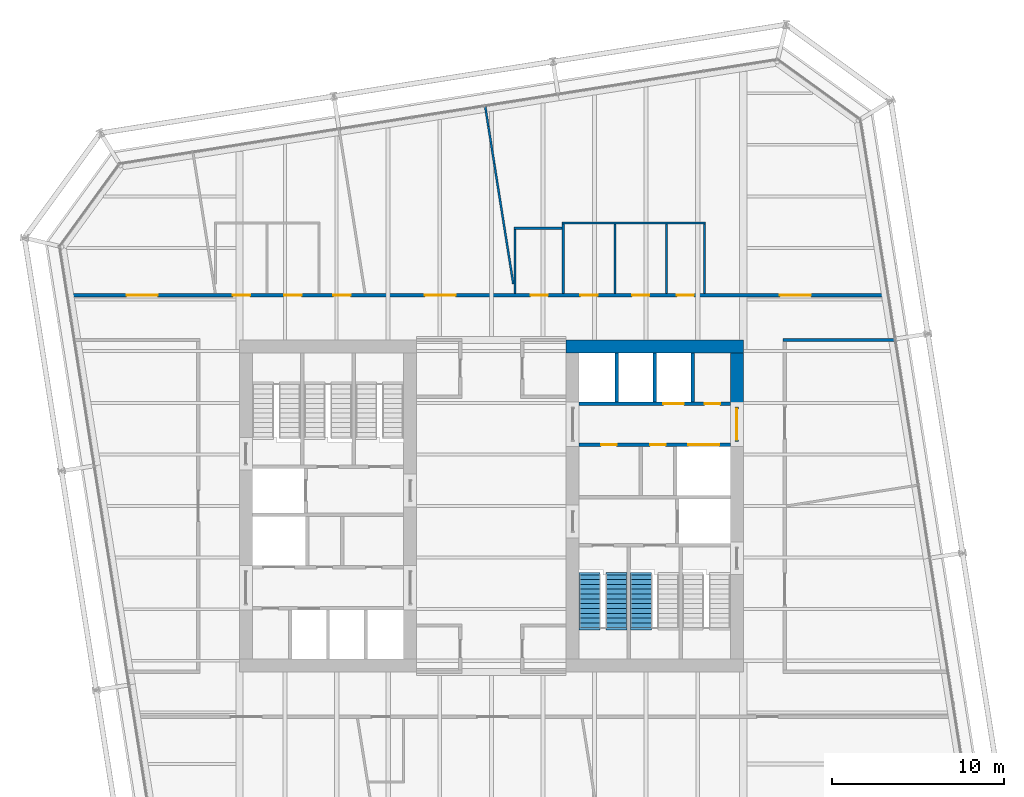
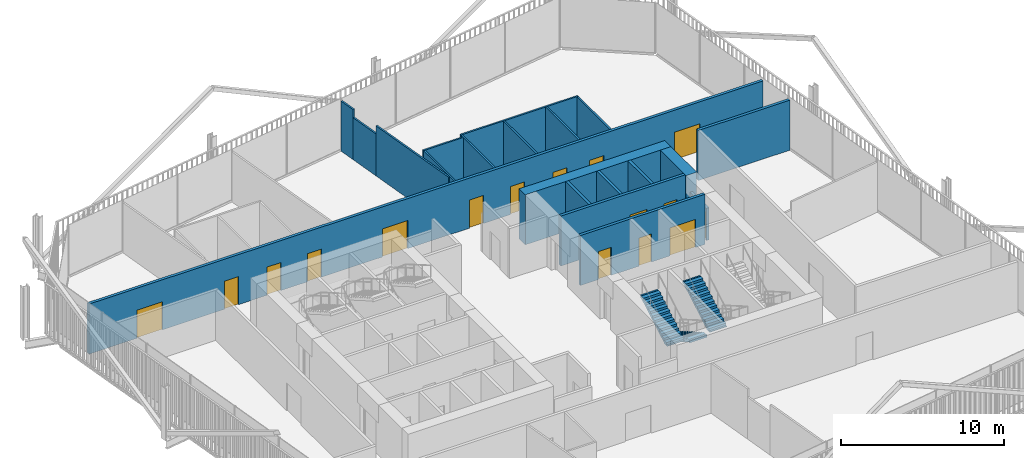
# One storey, part 20 of 22: 20 walls, 16 doors, 3 stair flights, 16 openings, 2 elements without a shape of their own.
"""IFC4 building model written with IfcOpenShell, lengths in metres."""

from ifc_helpers import new_model, si_unit, direction, frame, frame_2d, origin, place, context, subcontext, project, spatial, polyline, rectangle, outline, extrude, material, layer, layer_set, type_object, element, fill, aggregate, save


model = new_model("IFC4")

# Units and contexts
model_context = context("Model", 3, precision=1e-05, world=origin(), true_north=direction((0.0, 1.0)))
body_context = subcontext(model_context, "Body", "Model", "MODEL_VIEW")
ifc_project = project(units=[si_unit("LENGTHUNIT", "METRE"), si_unit("AREAUNIT", "SQUARE_METRE"), si_unit("VOLUMEUNIT", "CUBIC_METRE"), si_unit("PLANEANGLEUNIT", "RADIAN"), si_unit("MASSUNIT", "GRAM", prefix="KILO")], contexts=[model_context])

# Site, building, storey
site_placement = place(None, origin())
site = spatial("IfcSite", under=ifc_project, at=site_placement, CompositionType="ELEMENT")
building_placement = place(site_placement, origin())
building = spatial("IfcBuilding", under=site, at=building_placement, Name="Millrace Tower", CompositionType="ELEMENT")
storey_placement = place(building_placement, frame((0.0, 0.0, 180.0)))
storey = spatial("IfcBuildingStorey", under=building, at=storey_placement, Name="L40", CompositionType="ELEMENT", Elevation=180.0)

# Walls
ifc_material_1 = material(Name="Concrete C70", Category="concrete")
ifc_layer_1 = layer(ifc_material_1, 0.75)
ifc_layer_set_1 = layer_set([ifc_layer_1], Name="Concrete C70")
wall_type_1 = type_object("IfcWallType", Name="Core wall 750 Concrete C70", PredefinedType="SHEAR", material=ifc_layer_set_1)
wall_1_placement = place(storey_placement, frame((14.64990234375, 9.27490234375, 0.0), z_axis=(0.0, 0.0, 1.0), x_axis=(-1.0, 0.0, 0.0)))
element("IfcWall", 1, at=wall_1_placement, inside=storey, type_object=wall_type_1, Name="Core wall E L40", PredefinedType="SHEAR", context=body_context, shape_type="SweptSolid", body=[
    extrude(rectangle(XDim=10.2998046875, YDim=0.75, at=frame_2d((5.14990234375, 0.0))), origin(), (0.0, 0.0, 1.0), 3.739990234375),
])
wall_2_placement = place(storey_placement, frame((14.27490234375, 8.89990234375, 0.0), z_axis=(0.0, 0.0, 1.0), x_axis=(0.0, -1.0, 0.0)))
element("IfcWall", 2, at=wall_2_placement, inside=storey, type_object=wall_type_1, Name="Core wall E L40", PredefinedType="SHEAR", context=body_context, shape_type="SweptSolid", body=[
    extrude(rectangle(XDim=3.14990234375, YDim=0.75, at=frame_2d((1.574951171875, 0.0))), origin(), (0.0, 0.0, 1.0), 3.739990234375),
])
ifc_material_2 = material(Name="Masonry partition, fire-rated", Category="masonry")
ifc_layer_2 = layer(ifc_material_2, 0.199951171875)
ifc_layer_set_2 = layer_set([ifc_layer_2], Name="Masonry partition, fire-rated")
wall_type_2 = type_object("IfcWallType", Name="Corridor wall 200", PredefinedType="PARTITIONING", material=ifc_layer_set_2)
wall_3_placement = place(storey_placement, frame((16.949951171875, 9.64990234375, 0.0), z_axis=(0.0, 0.0, 1.0), x_axis=(1.0, 0.0, 0.0)))
element("IfcWall", 3, at=wall_3_placement, inside=storey, type_object=wall_type_2, Name="Corridor wall L40", PredefinedType="PARTITIONING", context=body_context, shape_type="SweptSolid", body=[
    extrude(rectangle(XDim=6.489501953125, YDim=0.199951171875, at=frame_2d((3.24462890625, 0.0))), origin(), (0.0, 0.0, 1.0), 3.739990234375),
])

# Wall, openings, doors
wall_4_placement = place(storey_placement, frame((-24.618896484375, 12.25, 0.0), z_axis=(0.0, 0.0, 1.0), x_axis=(1.0, 0.0, 0.0)))
wall_4 = element("IfcWall", 4, at=wall_4_placement, inside=storey, type_object=wall_type_2, Name="Corridor wall L40", PredefinedType="PARTITIONING", context=body_context, shape_type="SweptSolid", body=[
    extrude(rectangle(XDim=47.646484375, YDim=0.199951171875, at=frame_2d((23.8232421875, 0.0))), origin(), (0.0, 0.0, 1.0), 3.739990234375),
])
opening_1_placement = place(wall_4_placement, frame((3.41845703125, 0.0, 0.0)))
opening_1 = element("IfcOpeningElement", 5, at=opening_1_placement, cuts=wall_4, Name="Opening 40-P005", PredefinedType="OPENING", context=body_context, shape_type="SweptSolid", body=[
    extrude(rectangle(XDim=1.800048828125, YDim=2.10009765625, at=frame_2d((0.89990234375, 1.050048828125))), frame((0.0, 0.10986328125, 0.0), z_axis=(0.0, -1.0, 0.0), x_axis=(1.0, 0.0, 0.0)), (0.0, 0.0, 1.0), 0.219970703125),
])
opening_2_placement = place(wall_4_placement, frame((15.439453125, 0.0, 0.0)))
opening_2 = element("IfcOpeningElement", 6, at=opening_2_placement, cuts=wall_4, Name="Opening 40-P006", PredefinedType="OPENING", context=body_context, shape_type="SweptSolid", body=[
    extrude(rectangle(XDim=1.0, YDim=2.10009765625, at=frame_2d((0.5, 1.050048828125))), frame((0.0, 0.10986328125, 0.0), z_axis=(0.0, -1.0, 0.0), x_axis=(1.0, 0.0, 0.0)), (0.0, 0.0, 1.0), 0.219970703125),
])
opening_3_placement = place(wall_4_placement, frame((9.5859375, 0.0, 0.0)))
opening_3 = element("IfcOpeningElement", 7, at=opening_3_placement, cuts=wall_4, Name="Opening 40-P007", PredefinedType="OPENING", context=body_context, shape_type="SweptSolid", body=[
    extrude(rectangle(XDim=1.0, YDim=2.10009765625, at=frame_2d((0.5, 1.050048828125))), frame((0.0, 0.10986328125, 0.0), z_axis=(0.0, -1.0, 0.0), x_axis=(1.0, 0.0, 0.0)), (0.0, 0.0, 1.0), 0.219970703125),
])
opening_4_placement = place(wall_4_placement, frame((12.5859375, 0.0, 0.0)))
opening_4 = element("IfcOpeningElement", 8, at=opening_4_placement, cuts=wall_4, Name="Opening 40-P008", PredefinedType="OPENING", context=body_context, shape_type="SweptSolid", body=[
    extrude(rectangle(XDim=1.0, YDim=2.10009765625, at=frame_2d((0.5, 1.050048828125))), frame((0.0, 0.10986328125, 0.0), z_axis=(0.0, -1.0, 0.0), x_axis=(1.0, 0.0, 0.0)), (0.0, 0.0, 1.0), 0.219970703125),
])
opening_5_placement = place(wall_4_placement, frame((20.746337890625, 0.0, 0.0)))
opening_5 = element("IfcOpeningElement", 9, at=opening_5_placement, cuts=wall_4, Name="Opening 40-P009", PredefinedType="OPENING", context=body_context, shape_type="SweptSolid", body=[
    extrude(rectangle(XDim=1.800048828125, YDim=2.10009765625, at=frame_2d((0.89990234375, 1.050048828125))), frame((0.0, 0.10986328125, 0.0), z_axis=(0.0, -1.0, 0.0), x_axis=(1.0, 0.0, 0.0)), (0.0, 0.0, 1.0), 0.219970703125),
])
opening_6_placement = place(wall_4_placement, frame((41.39794921875, 0.0, 0.0)))
opening_6 = element("IfcOpeningElement", 10, at=opening_6_placement, cuts=wall_4, Name="Opening 40-P010", PredefinedType="OPENING", context=body_context, shape_type="SweptSolid", body=[
    extrude(rectangle(XDim=1.800048828125, YDim=2.10009765625, at=frame_2d((0.89990234375, 1.050048828125))), frame((0.0, 0.10986328125, 0.0), z_axis=(0.0, -1.0, 0.0), x_axis=(1.0, 0.0, 0.0)), (0.0, 0.0, 1.0), 0.219970703125),
])
opening_7_placement = place(wall_4_placement, frame((26.89990234375, 0.0, 0.0)))
opening_7 = element("IfcOpeningElement", 11, at=opening_7_placement, cuts=wall_4, Name="Opening 40-P011", PredefinedType="OPENING", context=body_context, shape_type="SweptSolid", body=[
    extrude(rectangle(XDim=1.0, YDim=2.10009765625, at=frame_2d((0.5, 1.050048828125))), frame((0.0, 0.10986328125, 0.0), z_axis=(0.0, -1.0, 0.0), x_axis=(1.0, 0.0, 0.0)), (0.0, 0.0, 1.0), 0.219970703125),
])
opening_8_placement = place(wall_4_placement, frame((29.800048828125, 0.0, 0.0)))
opening_8 = element("IfcOpeningElement", 12, at=opening_8_placement, cuts=wall_4, Name="Opening 40-P019", PredefinedType="OPENING", context=body_context, shape_type="SweptSolid", body=[
    extrude(rectangle(XDim=1.0, YDim=2.10009765625, at=frame_2d((0.5, 1.050048828125))), frame((0.0, 0.10986328125, 0.0), z_axis=(0.0, -1.0, 0.0), x_axis=(1.0, 0.0, 0.0)), (0.0, 0.0, 1.0), 0.219970703125),
])
opening_9_placement = place(wall_4_placement, frame((32.800048828125, 0.0, 0.0)))
opening_9 = element("IfcOpeningElement", 13, at=opening_9_placement, cuts=wall_4, Name="Opening 40-P020", PredefinedType="OPENING", context=body_context, shape_type="SweptSolid", body=[
    extrude(rectangle(XDim=1.0, YDim=2.10009765625, at=frame_2d((0.5, 1.050048828125))), frame((0.0, 0.10986328125, 0.0), z_axis=(0.0, -1.0, 0.0), x_axis=(1.0, 0.0, 0.0)), (0.0, 0.0, 1.0), 0.219970703125),
])
opening_10_placement = place(wall_4_placement, frame((35.39990234375, 0.0, 0.0)))
opening_10 = element("IfcOpeningElement", 14, at=opening_10_placement, cuts=wall_4, Name="Opening 40-P021", PredefinedType="OPENING", context=body_context, shape_type="SweptSolid", body=[
    extrude(rectangle(XDim=1.0, YDim=2.10009765625, at=frame_2d((0.5, 1.050048828125))), frame((0.0, 0.10986328125, 0.0), z_axis=(0.0, -1.0, 0.0), x_axis=(1.0, 0.0, 0.0)), (0.0, 0.0, 1.0), 0.219970703125),
])
ifc_material_3 = material(Name="Steel door set, fire-rated", Category="steel")
door_type_1 = type_object("IfcDoorType", Name="Corridor door 1000 x 2100", OperationType="SINGLE_SWING_LEFT", PredefinedType="DOOR", material=ifc_material_3)
door_1_placement = place(opening_2_placement, origin())
door_1 = element("IfcDoor", 15, at=door_1_placement, inside=storey, type_object=door_type_1, Name="Door 40-P006", OperationType="SINGLE_SWING_LEFT", OverallHeight=2.10009765625, OverallWidth=1.0, PredefinedType="DOOR", context=body_context, shape_type="SweptSolid", body=[
    extrude(rectangle(XDim=1.0, YDim=2.10009765625, at=frame_2d((0.5, 1.050048828125))), frame((0.0, 0.02490234375, 0.0), z_axis=(0.0, -1.0, 0.0), x_axis=(1.0, 0.0, 0.0)), (0.0, 0.0, 1.0), 0.050048828125),
])
fill(opening_2, door_1)
door_2_placement = place(opening_3_placement, origin())
door_2 = element("IfcDoor", 16, at=door_2_placement, inside=storey, type_object=door_type_1, Name="Door 40-P007", OperationType="SINGLE_SWING_LEFT", OverallHeight=2.10009765625, OverallWidth=1.0, PredefinedType="DOOR", context=body_context, shape_type="SweptSolid", body=[
    extrude(rectangle(XDim=1.0, YDim=2.10009765625, at=frame_2d((0.5, 1.050048828125))), frame((0.0, 0.02490234375, 0.0), z_axis=(0.0, -1.0, 0.0), x_axis=(1.0, 0.0, 0.0)), (0.0, 0.0, 1.0), 0.050048828125),
])
fill(opening_3, door_2)
door_3_placement = place(opening_4_placement, origin())
door_3 = element("IfcDoor", 17, at=door_3_placement, inside=storey, type_object=door_type_1, Name="Door 40-P008", OperationType="SINGLE_SWING_LEFT", OverallHeight=2.10009765625, OverallWidth=1.0, PredefinedType="DOOR", context=body_context, shape_type="SweptSolid", body=[
    extrude(rectangle(XDim=1.0, YDim=2.10009765625, at=frame_2d((0.5, 1.050048828125))), frame((0.0, 0.02490234375, 0.0), z_axis=(0.0, -1.0, 0.0), x_axis=(1.0, 0.0, 0.0)), (0.0, 0.0, 1.0), 0.050048828125),
])
fill(opening_4, door_3)
door_4_placement = place(opening_7_placement, origin())
door_4 = element("IfcDoor", 18, at=door_4_placement, inside=storey, type_object=door_type_1, Name="Door 40-P011", OperationType="SINGLE_SWING_RIGHT", OverallHeight=2.10009765625, OverallWidth=1.0, PredefinedType="DOOR", context=body_context, shape_type="SweptSolid", body=[
    extrude(rectangle(XDim=1.0, YDim=2.10009765625, at=frame_2d((0.5, 1.050048828125))), frame((0.0, 0.02490234375, 0.0), z_axis=(0.0, -1.0, 0.0), x_axis=(1.0, 0.0, 0.0)), (0.0, 0.0, 1.0), 0.050048828125),
])
fill(opening_7, door_4)
door_5_placement = place(opening_8_placement, origin())
door_5 = element("IfcDoor", 19, at=door_5_placement, inside=storey, type_object=door_type_1, Name="Door 40-P019", OperationType="SINGLE_SWING_RIGHT", OverallHeight=2.10009765625, OverallWidth=1.0, PredefinedType="DOOR", context=body_context, shape_type="SweptSolid", body=[
    extrude(rectangle(XDim=1.0, YDim=2.10009765625, at=frame_2d((0.5, 1.050048828125))), frame((0.0, 0.02490234375, 0.0), z_axis=(0.0, -1.0, 0.0), x_axis=(1.0, 0.0, 0.0)), (0.0, 0.0, 1.0), 0.050048828125),
])
fill(opening_8, door_5)
door_6_placement = place(opening_9_placement, origin())
door_6 = element("IfcDoor", 20, at=door_6_placement, inside=storey, type_object=door_type_1, Name="Door 40-P020", OperationType="SINGLE_SWING_RIGHT", OverallHeight=2.10009765625, OverallWidth=1.0, PredefinedType="DOOR", context=body_context, shape_type="SweptSolid", body=[
    extrude(rectangle(XDim=1.0, YDim=2.10009765625, at=frame_2d((0.5, 1.050048828125))), frame((0.0, 0.02490234375, 0.0), z_axis=(0.0, -1.0, 0.0), x_axis=(1.0, 0.0, 0.0)), (0.0, 0.0, 1.0), 0.050048828125),
])
fill(opening_9, door_6)
door_7_placement = place(opening_10_placement, origin())
door_7 = element("IfcDoor", 21, at=door_7_placement, inside=storey, type_object=door_type_1, Name="Door 40-P021", OperationType="SINGLE_SWING_RIGHT", OverallHeight=2.10009765625, OverallWidth=1.0, PredefinedType="DOOR", context=body_context, shape_type="SweptSolid", body=[
    extrude(rectangle(XDim=1.0, YDim=2.10009765625, at=frame_2d((0.5, 1.050048828125))), frame((0.0, 0.02490234375, 0.0), z_axis=(0.0, -1.0, 0.0), x_axis=(1.0, 0.0, 0.0)), (0.0, 0.0, 1.0), 0.050048828125),
])
fill(opening_10, door_7)
ifc_material_4 = material(Name="Steel door set, fire-rated", Category="steel")
door_type_2 = type_object("IfcDoorType", Name="Corridor door 1800 x 2100", OperationType="DOUBLE_DOOR_SINGLE_SWING", PredefinedType="DOOR", material=ifc_material_4)
door_8_placement = place(opening_1_placement, origin())
door_8 = element("IfcDoor", 22, at=door_8_placement, inside=storey, type_object=door_type_2, Name="Door 40-P005", OperationType="DOUBLE_DOOR_SINGLE_SWING", OverallHeight=2.10009765625, OverallWidth=1.800048828125, PredefinedType="DOOR", context=body_context, shape_type="SweptSolid", body=[
    extrude(rectangle(XDim=1.800048828125, YDim=2.10009765625, at=frame_2d((0.89990234375, 1.050048828125))), frame((0.0, 0.02490234375, 0.0), z_axis=(0.0, -1.0, 0.0), x_axis=(1.0, 0.0, 0.0)), (0.0, 0.0, 1.0), 0.050048828125),
])
fill(opening_1, door_8)
door_9_placement = place(opening_5_placement, origin())
door_9 = element("IfcDoor", 23, at=door_9_placement, inside=storey, type_object=door_type_2, Name="Door 40-P009", OperationType="DOUBLE_DOOR_SINGLE_SWING", OverallHeight=2.10009765625, OverallWidth=1.800048828125, PredefinedType="DOOR", context=body_context, shape_type="SweptSolid", body=[
    extrude(rectangle(XDim=1.800048828125, YDim=2.10009765625, at=frame_2d((0.89990234375, 1.050048828125))), frame((0.0, 0.02490234375, 0.0), z_axis=(0.0, -1.0, 0.0), x_axis=(1.0, 0.0, 0.0)), (0.0, 0.0, 1.0), 0.050048828125),
])
fill(opening_5, door_9)
door_10_placement = place(opening_6_placement, frame((1.800048828125, 0.0, 0.0), z_axis=(0.0, 0.0, 1.0), x_axis=(-1.0, 0.0, 0.0)))
door_10 = element("IfcDoor", 24, at=door_10_placement, inside=storey, type_object=door_type_2, Name="Door 40-P010", OperationType="DOUBLE_DOOR_SINGLE_SWING", OverallHeight=2.10009765625, OverallWidth=1.800048828125, PredefinedType="DOOR", context=body_context, shape_type="SweptSolid", body=[
    extrude(rectangle(XDim=1.800048828125, YDim=2.10009765625, at=frame_2d((0.89990234375, 1.050048828125))), frame((0.0, 0.02490234375, 0.0), z_axis=(0.0, -1.0, 0.0), x_axis=(1.0, 0.0, 0.0)), (0.0, 0.0, 1.0), 0.050048828125),
])
fill(opening_6, door_10)

ifc_material_5 = material(Name="Masonry partition, fire-rated", Category="masonry")
ifc_layer_3 = layer(ifc_material_5, 0.199951171875)
ifc_layer_set_3 = layer_set([ifc_layer_3], Name="Masonry partition, fire-rated")
wall_type_3 = type_object("IfcWallType", Name="Lift shaft wall 200", PredefinedType="PARTITIONING", material=ifc_layer_set_3)
wall_5_placement = place(storey_placement, frame((13.89990234375, 5.949951171875, 0.0), z_axis=(0.0, 0.0, 1.0), x_axis=(-1.0, 0.0, 0.0)))
wall_5 = element("IfcWall", 25, at=wall_5_placement, inside=storey, type_object=wall_type_3, Name="Lift shaft wall E L40", PredefinedType="PARTITIONING", context=body_context, shape_type="SweptSolid", body=[
    extrude(rectangle(XDim=8.7998046875, YDim=0.199951171875, at=frame_2d((4.39990234375, 0.0))), origin(), (0.0, 0.0, 1.0), 3.739990234375),
])
opening_11_placement = place(wall_5_placement, frame((2.699951171875, 0.0, 0.0)))
opening_11 = element("IfcOpeningElement", 26, at=opening_11_placement, cuts=wall_5, Name="Opening 40-LD10", PredefinedType="OPENING", context=body_context, shape_type="SweptSolid", body=[
    extrude(rectangle(XDim=1.199951171875, YDim=2.10009765625, at=frame_2d((0.60009765625, 1.050048828125))), frame((0.0, 0.10986328125, 0.0), z_axis=(0.0, -1.0, 0.0), x_axis=(1.0, 0.0, 0.0)), (0.0, 0.0, 1.0), 0.219970703125),
])
opening_12_placement = place(wall_5_placement, frame((0.60009765625, 0.0, 0.0)))
opening_12 = element("IfcOpeningElement", 27, at=opening_12_placement, cuts=wall_5, Name="Opening 40-C014", PredefinedType="OPENING", context=body_context, shape_type="SweptSolid", body=[
    extrude(rectangle(XDim=0.89990234375, YDim=2.10009765625, at=frame_2d((0.449951171875, 1.050048828125))), frame((0.0, 0.10986328125, 0.0), z_axis=(0.0, -1.0, 0.0), x_axis=(1.0, 0.0, 0.0)), (0.0, 0.0, 1.0), 0.219970703125),
])
ifc_material_6 = material(Name="Stainless steel, fire-rated", Category="steel")
door_type_3 = type_object("IfcDoorType", Name="Lift landing door 1200 x 2100", OperationType="DOUBLE_DOOR_SLIDING", PredefinedType="DOOR", material=ifc_material_6)
door_11_placement = place(opening_11_placement, origin())
door_11 = element("IfcDoor", 28, at=door_11_placement, inside=storey, type_object=door_type_3, Name="Lift landing door LF10 L40", OperationType="DOUBLE_DOOR_SLIDING", OverallHeight=2.10009765625, OverallWidth=1.199951171875, PredefinedType="DOOR", context=body_context, shape_type="SweptSolid", body=[
    extrude(rectangle(XDim=1.199951171875, YDim=2.10009765625, at=frame_2d((0.60009765625, 1.050048828125))), frame((0.0, 0.02490234375, 0.0), z_axis=(0.0, -1.0, 0.0), x_axis=(1.0, 0.0, 0.0)), (0.0, 0.0, 1.0), 0.050048828125),
])
fill(opening_11, door_11)
ifc_material_7 = material(Name="Steel door, fire-rated", Category="steel")
door_type_4 = type_object("IfcDoorType", Name="Service room door 900 x 2100", OperationType="SINGLE_SWING_LEFT", PredefinedType="DOOR", material=ifc_material_7)
door_12_placement = place(opening_12_placement, frame((0.89990234375, 0.0, 0.0), z_axis=(0.0, 0.0, 1.0), x_axis=(-1.0, 0.0, 0.0)))
door_12 = element("IfcDoor", 29, at=door_12_placement, inside=storey, type_object=door_type_4, Name="Service room door 40-C014", OperationType="SINGLE_SWING_RIGHT", OverallHeight=2.10009765625, OverallWidth=0.89990234375, PredefinedType="DOOR", context=body_context, shape_type="SweptSolid", body=[
    extrude(rectangle(XDim=0.89990234375, YDim=2.10009765625, at=frame_2d((0.449951171875, 1.050048828125))), frame((0.0, 0.02490234375, 0.0), z_axis=(0.0, -1.0, 0.0), x_axis=(1.0, 0.0, 0.0)), (0.0, 0.0, 1.0), 0.050048828125),
])
fill(opening_12, door_12)

wall_6_placement = place(storey_placement, frame((13.89990234375, 3.550048828125, 0.0), z_axis=(0.0, 0.0, 1.0), x_axis=(-1.0, 0.0, 0.0)))
wall_6 = element("IfcWall", 30, at=wall_6_placement, inside=storey, type_object=wall_type_3, Name="Lift shaft wall E L40", PredefinedType="PARTITIONING", context=body_context, shape_type="SweptSolid", body=[
    extrude(rectangle(XDim=8.7998046875, YDim=0.199951171875, at=frame_2d((4.39990234375, 0.0))), origin(), (0.0, 0.0, 1.0), 3.739990234375),
])
opening_13_placement = place(wall_6_placement, frame((0.64990234375, 0.0, 0.0)))
opening_13 = element("IfcOpeningElement", 31, at=opening_13_placement, cuts=wall_6, Name="Opening 40-LD13", PredefinedType="OPENING", context=body_context, shape_type="SweptSolid", body=[
    extrude(rectangle(XDim=1.800048828125, YDim=2.10009765625, at=frame_2d((0.89990234375, 1.050048828125))), frame((0.0, 0.10986328125, 0.0), z_axis=(0.0, -1.0, 0.0), x_axis=(1.0, 0.0, 0.0)), (0.0, 0.0, 1.0), 0.219970703125),
])
opening_14_placement = place(wall_6_placement, frame((3.762451171875, 0.0, 0.0)))
opening_14 = element("IfcOpeningElement", 32, at=opening_14_placement, cuts=wall_6, Name="Opening 40-C015", PredefinedType="OPENING", context=body_context, shape_type="SweptSolid", body=[
    extrude(rectangle(XDim=0.89990234375, YDim=2.10009765625, at=frame_2d((0.449951171875, 1.050048828125))), frame((0.0, 0.10986328125, 0.0), z_axis=(0.0, -1.0, 0.0), x_axis=(1.0, 0.0, 0.0)), (0.0, 0.0, 1.0), 0.219970703125),
])
opening_15_placement = place(wall_6_placement, frame((6.612548828125, 0.0, 0.0)))
opening_15 = element("IfcOpeningElement", 33, at=opening_15_placement, cuts=wall_6, Name="Opening 40-C016", PredefinedType="OPENING", context=body_context, shape_type="SweptSolid", body=[
    extrude(rectangle(XDim=0.89990234375, YDim=2.10009765625, at=frame_2d((0.449951171875, 1.050048828125))), frame((0.0, 0.10986328125, 0.0), z_axis=(0.0, -1.0, 0.0), x_axis=(1.0, 0.0, 0.0)), (0.0, 0.0, 1.0), 0.219970703125),
])
ifc_material_8 = material(Name="Stainless steel, fire-rated", Category="steel")
door_type_5 = type_object("IfcDoorType", Name="Lift landing door 1800 x 2100", OperationType="DOUBLE_DOOR_SLIDING", PredefinedType="DOOR", material=ifc_material_8)
door_13_placement = place(opening_13_placement, origin())
door_13 = element("IfcDoor", 34, at=door_13_placement, inside=storey, type_object=door_type_5, Name="Lift landing door LF13 L40", OperationType="DOUBLE_DOOR_SLIDING", OverallHeight=2.10009765625, OverallWidth=1.800048828125, PredefinedType="DOOR", context=body_context, shape_type="SweptSolid", body=[
    extrude(rectangle(XDim=1.800048828125, YDim=2.10009765625, at=frame_2d((0.89990234375, 1.050048828125))), frame((0.0, 0.02490234375, 0.0), z_axis=(0.0, -1.0, 0.0), x_axis=(1.0, 0.0, 0.0)), (0.0, 0.0, 1.0), 0.050048828125),
])
fill(opening_13, door_13)
door_14_placement = place(opening_14_placement, origin())
door_14 = element("IfcDoor", 35, at=door_14_placement, inside=storey, type_object=door_type_4, Name="Service room door 40-C015", OperationType="SINGLE_SWING_LEFT", OverallHeight=2.10009765625, OverallWidth=0.89990234375, PredefinedType="DOOR", context=body_context, shape_type="SweptSolid", body=[
    extrude(rectangle(XDim=0.89990234375, YDim=2.10009765625, at=frame_2d((0.449951171875, 1.050048828125))), frame((0.0, 0.02490234375, 0.0), z_axis=(0.0, -1.0, 0.0), x_axis=(1.0, 0.0, 0.0)), (0.0, 0.0, 1.0), 0.050048828125),
])
fill(opening_14, door_14)
door_15_placement = place(opening_15_placement, origin())
door_15 = element("IfcDoor", 36, at=door_15_placement, inside=storey, type_object=door_type_4, Name="Service room door 40-C016", OperationType="SINGLE_SWING_RIGHT", OverallHeight=2.10009765625, OverallWidth=0.89990234375, PredefinedType="DOOR", context=body_context, shape_type="SweptSolid", body=[
    extrude(rectangle(XDim=0.89990234375, YDim=2.10009765625, at=frame_2d((0.449951171875, 1.050048828125))), frame((0.0, 0.02490234375, 0.0), z_axis=(0.0, -1.0, 0.0), x_axis=(1.0, 0.0, 0.0)), (0.0, 0.0, 1.0), 0.050048828125),
])
fill(opening_15, door_15)

# Walls
for number, where, z_axis, x_axis, name in (
    (37, (11.699951171875, 8.89990234375, 0.0), (0.0, 0.0, 1.0), (0.0, -1.0, 0.0), "Lift shaft wall E L40"),
    (38, (9.5, 8.89990234375, 0.0), (0.0, 0.0, 1.0), (0.0, -1.0, 0.0), "Lift shaft wall E L40"),
    (39, (7.300048828125, 8.89990234375, 0.0), (0.0, 0.0, 1.0), (0.0, -1.0, 0.0), "Lift shaft wall E L40"),
):
    element("IfcWall", number, at=place(storey_placement, frame(where, z_axis=z_axis, x_axis=x_axis)), inside=storey, type_object=wall_type_3, Name=name, PredefinedType="PARTITIONING", context=body_context, shape_type="SweptSolid", body=[
        extrude(rectangle(XDim=2.849853515625, YDim=0.199951171875, at=frame_2d((1.4248046875, 0.0))), origin(), (0.0, 0.0, 1.0), 3.739990234375),
    ])

# Wall, opening, door
ifc_material_9 = material(Name="Masonry partition, fire-rated", Category="masonry")
ifc_layer_4 = layer(ifc_material_9, 0.199951171875)
ifc_layer_set_4 = layer_set([ifc_layer_4], Name="Masonry partition, fire-rated")
wall_type_4 = type_object("IfcWallType", Name="Lobby wall 200", PredefinedType="PARTITIONING", material=ifc_layer_set_4)
wall_7_placement = place(storey_placement, frame((14.27490234375, 5.75, 0.0), z_axis=(0.0, 0.0, 1.0), x_axis=(0.0, -1.0, 0.0)))
wall_7 = element("IfcWall", 40, at=wall_7_placement, inside=storey, type_object=wall_type_4, Name="Lobby wall E L40", PredefinedType="PARTITIONING", context=body_context, shape_type="SweptSolid", body=[
    extrude(rectangle(XDim=2.0, YDim=0.199951171875, at=frame_2d((1.0, 0.0))), origin(), (0.0, 0.0, 1.0), 2.39990234375),
])
opening_16_placement = place(wall_7_placement, frame((0.10009765625, 0.0, 0.0)))
opening_16 = element("IfcOpeningElement", 41, at=opening_16_placement, cuts=wall_7, Name="Opening 40-C010", PredefinedType="OPENING", context=body_context, shape_type="SweptSolid", body=[
    extrude(rectangle(XDim=1.800048828125, YDim=2.10009765625, at=frame_2d((0.89990234375, 1.050048828125))), frame((0.0, 0.10986328125, 0.0), z_axis=(0.0, -1.0, 0.0), x_axis=(1.0, 0.0, 0.0)), (0.0, 0.0, 1.0), 0.219970703125),
])
ifc_material_10 = material(Name="Steel door, fire-rated", Category="steel")
door_type_6 = type_object("IfcDoorType", Name="Lobby door 1800 x 2100", OperationType="DOUBLE_DOOR_SINGLE_SWING", PredefinedType="DOOR", material=ifc_material_10)
door_16_placement = place(opening_16_placement, origin())
door_16 = element("IfcDoor", 42, at=door_16_placement, inside=storey, type_object=door_type_6, Name="Lobby door 40-C010", OperationType="DOUBLE_DOOR_SINGLE_SWING", OverallHeight=2.10009765625, OverallWidth=1.800048828125, PredefinedType="DOOR", context=body_context, shape_type="SweptSolid", body=[
    extrude(rectangle(XDim=1.800048828125, YDim=2.10009765625, at=frame_2d((0.89990234375, 1.050048828125))), frame((0.0, 0.02490234375, 0.0), z_axis=(0.0, -1.0, 0.0), x_axis=(1.0, 0.0, 0.0)), (0.0, 0.0, 1.0), 0.050048828125),
])
fill(opening_16, door_16)

# Walls
ifc_material_11 = material(Name="Gypsum board partition")
ifc_layer_5 = layer(ifc_material_11, 0.1201171875)
ifc_layer_set_5 = layer_set([ifc_layer_5], Name="Gypsum board partition")
wall_type_5 = type_object("IfcWallType", Name="Partition wall 120", PredefinedType="PARTITIONING", material=ifc_layer_set_5)
wall_8_placement = place(storey_placement, frame((-0.35791015625, 23.2265625, 0.0), z_axis=(0.0, 0.0, 1.0), x_axis=(0.156600767985, -0.987661986444, 0.0)))
element("IfcWall", 43, at=wall_8_placement, inside=storey, type_object=wall_type_5, Name="Partition wall L40", PredefinedType="PARTITIONING", context=body_context, shape_type="SweptSolid", body=[
    extrude(rectangle(XDim=1.1787109375, YDim=0.1201171875, at=frame_2d((0.58935546875, 0.0))), origin(), (0.0, 0.0, 1.0), 3.739990234375),
])
wall_9_placement = place(storey_placement, frame((-0.17333984375, 22.0625, 0.0), z_axis=(0.0, 0.0, 1.0), x_axis=(0.156375374173, -0.987697697857, 0.0)))
element("IfcWall", 44, at=wall_9_placement, inside=storey, type_object=wall_type_5, Name="Partition wall L40", PredefinedType="PARTITIONING", context=body_context, shape_type="SweptSolid", body=[
    extrude(rectangle(XDim=2.217041015625, YDim=0.1201171875, at=frame_2d((1.1083984375, 0.0))), origin(), (0.0, 0.0, 1.0), 3.1328125),
])
wall_10_placement = place(storey_placement, frame((0.17333984375, 19.872802734375, 0.0), z_axis=(0.0, 0.0, 1.0), x_axis=(0.156494148145, -0.987678885871, 0.0)))
element("IfcWall", 45, at=wall_10_placement, inside=storey, type_object=wall_type_5, Name="Partition wall L40", PredefinedType="PARTITIONING", context=body_context, shape_type="SweptSolid", body=[
    extrude(rectangle(XDim=7.051513671875, YDim=0.1201171875, at=frame_2d((3.52587890625, 0.0))), origin(), (0.0, 0.0, 1.0), 3.739990234375),
])
wall_11_placement = place(storey_placement, frame((1.321044921875, 16.14990234375, 0.0), z_axis=(0.0, 0.0, 1.0), x_axis=(1.0, 0.0, 0.0)))
element("IfcWall", 46, at=wall_11_placement, inside=storey, type_object=wall_type_5, Name="Partition wall L40", PredefinedType="PARTITIONING", context=body_context, shape_type="SweptSolid", body=[
    extrude(rectangle(XDim=2.800048828125, YDim=0.1201171875, at=frame_2d((1.39990234375, 0.0))), origin(), (0.0, 0.0, 1.0), 3.739990234375),
])
wall_12_placement = place(storey_placement, frame((4.12109375, 16.449951171875, 0.0), z_axis=(0.0, 0.0, 1.0), x_axis=(1.0, 0.0, 0.0)))
element("IfcWall", 47, at=wall_12_placement, inside=storey, type_object=wall_type_5, Name="Partition wall L40", PredefinedType="PARTITIONING", context=body_context, shape_type="SweptSolid", body=[
    extrude(rectangle(XDim=8.31982421875, YDim=0.1201171875, at=frame_2d((4.159912109375, 0.0))), origin(), (0.0, 0.0, 1.0), 3.739990234375),
])
for number, where, z_axis, x_axis, name in (
    (48, (12.381103515625, 12.35009765625, 0.0), (0.0, 0.0, 1.0), (0.0, 1.0, 0.0), "Partition wall L40"),
    (49, (10.180908203125, 12.35009765625, 0.0), (0.0, 0.0, 1.0), (0.0, 1.0, 0.0), "Partition wall L40"),
    (50, (7.180908203125, 12.35009765625, 0.0), (0.0, 0.0, 1.0), (0.0, 1.0, 0.0), "Partition wall L40"),
    (51, (4.180908203125, 12.35009765625, 0.0), (0.0, 0.0, 1.0), (0.0, 1.0, 0.0), "Partition wall L40"),
):
    element("IfcWall", number, at=place(storey_placement, frame(where, z_axis=z_axis, x_axis=x_axis)), inside=storey, type_object=wall_type_5, Name=name, PredefinedType="PARTITIONING", context=body_context, shape_type="SweptSolid", body=[
        extrude(rectangle(XDim=4.039794921875, YDim=0.1201171875, at=frame_2d((2.02001953125, 0.0))), origin(), (0.0, 0.0, 1.0), 3.739990234375),
    ])
wall_13_placement = place(storey_placement, frame((1.381103515625, 12.35009765625, 0.0), z_axis=(0.0, 0.0, 1.0), x_axis=(0.0, 1.0, 0.0)))
element("IfcWall", 52, at=wall_13_placement, inside=storey, type_object=wall_type_5, Name="Partition wall L40", PredefinedType="PARTITIONING", context=body_context, shape_type="SweptSolid", body=[
    extrude(rectangle(XDim=3.739990234375, YDim=0.1201171875, at=frame_2d((1.8701171875, 0.0))), origin(), (0.0, 0.0, 1.0), 3.739990234375),
])

# Stair, stair flight
ifc_material_12 = material(Name="Concrete C35", Category="concrete")
stair_type = type_object("IfcStairType", Name="Exit stair", PredefinedType="HALF_TURN_STAIR", material=ifc_material_12)
placement = place(storey_placement, origin())
stair_1 = element("IfcStair", 53, at=placement, inside=storey, type_object=stair_type, Name="Stair 2 E L40", PredefinedType="HALF_TURN_STAIR")
ifc_material_13 = material(Name="Concrete C35", Category="concrete")
stair_flight_type = type_object("IfcStairFlightType", Name="Exit stair flight", PredefinedType="STRAIGHT", material=ifc_material_13)
stair_flight_1_placement = place(storey_placement, frame((8.7099609375, -7.080078125, 1.949951171875), z_axis=(0.0, 0.0, 1.0), x_axis=(0.0, 1.0, 0.0)))
stair_flight_1 = element("IfcStairFlight", 54, at=stair_flight_1_placement, type_object=stair_flight_type, Name="ST12 flight 2", NumberOfRisers=12, NumberOfTreads=11, PredefinedType="STRAIGHT", RiserHeight=0.1625, TreadLength=0.28, context=body_context, shape_type="SweptSolid", body=[
    extrude(outline(polyline([(-0.1201171875, -0.0400390625), (-0.1201171875, 0.0), (0.0, 0.0), (0.0, 0.16259765625), (0.280029296875, 0.16259765625), (0.280029296875, 0.324951171875), (0.56005859375, 0.324951171875), (0.56005859375, 0.487548828125), (0.840087890625, 0.487548828125), (0.840087890625, 0.64990234375), (1.1201171875, 0.64990234375), (1.1201171875, 0.8125), (1.39990234375, 0.8125), (1.39990234375, 0.97509765625), (1.679931640625, 0.97509765625), (1.679931640625, 1.137451171875), (1.9599609375, 1.137451171875), (1.9599609375, 1.300048828125), (2.239990234375, 1.300048828125), (2.239990234375, 1.46240234375), (2.52001953125, 1.46240234375), (2.52001953125, 1.625), (2.800048828125, 1.625), (2.800048828125, 1.78759765625), (3.080078125, 1.78759765625), (3.080078125, 1.8076171875), (3.199951171875, 1.8076171875), (3.199951171875, 1.6142578125), (3.080078125, 1.6142578125), (0.298583984375, 0.0), (0.298583984375, -0.0400390625), (-0.1201171875, -0.0400390625)])), frame((0.0, 0.60986328125, 0.0), z_axis=(0.0, -1.0, 0.0), x_axis=(1.0, 0.0, 0.0)), (0.0, 0.0, 1.0), 1.219970703125),
])
aggregate(stair_1, [stair_flight_1])

# Stair, stair flights
stair_2 = element("IfcStair", 55, at=placement, inside=storey, type_object=stair_type, Name="Stair 3 E L40", PredefinedType="HALF_TURN_STAIR")
stair_flight_2_placement = place(storey_placement, frame((7.2900390625, -4.0, 0.0), z_axis=(0.0, 0.0, 1.0), x_axis=(0.0, -1.0, 0.0)))
stair_flight_2 = element("IfcStairFlight", 56, at=stair_flight_2_placement, type_object=stair_flight_type, Name="ST12 flight 1", NumberOfRisers=12, NumberOfTreads=11, PredefinedType="STRAIGHT", RiserHeight=0.1625, TreadLength=0.28, context=body_context, shape_type="SweptSolid", body=[
    extrude(outline(polyline([(-0.1201171875, -0.0400390625), (-0.1201171875, 0.0), (0.0, 0.0), (0.0, 0.16259765625), (0.280029296875, 0.16259765625), (0.280029296875, 0.324951171875), (0.56005859375, 0.324951171875), (0.56005859375, 0.487548828125), (0.840087890625, 0.487548828125), (0.840087890625, 0.64990234375), (1.1201171875, 0.64990234375), (1.1201171875, 0.8125), (1.39990234375, 0.8125), (1.39990234375, 0.97509765625), (1.679931640625, 0.97509765625), (1.679931640625, 1.137451171875), (1.9599609375, 1.137451171875), (1.9599609375, 1.300048828125), (2.239990234375, 1.300048828125), (2.239990234375, 1.46240234375), (2.52001953125, 1.46240234375), (2.52001953125, 1.625), (2.800048828125, 1.625), (2.800048828125, 1.78759765625), (3.080078125, 1.78759765625), (3.080078125, 1.8076171875), (3.199951171875, 1.8076171875), (3.199951171875, 1.6142578125), (3.080078125, 1.6142578125), (0.298583984375, 0.0), (0.298583984375, -0.0400390625), (-0.1201171875, -0.0400390625)])), frame((0.0, 0.60986328125, 0.0), z_axis=(0.0, -1.0, 0.0), x_axis=(1.0, 0.0, 0.0)), (0.0, 0.0, 1.0), 1.219970703125),
])
stair_flight_3_placement = place(storey_placement, frame((5.7099609375, -7.080078125, 1.949951171875), z_axis=(0.0, 0.0, 1.0), x_axis=(0.0, 1.0, 0.0)))
stair_flight_3 = element("IfcStairFlight", 57, at=stair_flight_3_placement, type_object=stair_flight_type, Name="ST12 flight 2", NumberOfRisers=12, NumberOfTreads=11, PredefinedType="STRAIGHT", RiserHeight=0.1625, TreadLength=0.28, context=body_context, shape_type="SweptSolid", body=[
    extrude(outline(polyline([(-0.1201171875, -0.0400390625), (-0.1201171875, 0.0), (0.0, 0.0), (0.0, 0.16259765625), (0.280029296875, 0.16259765625), (0.280029296875, 0.324951171875), (0.56005859375, 0.324951171875), (0.56005859375, 0.487548828125), (0.840087890625, 0.487548828125), (0.840087890625, 0.64990234375), (1.1201171875, 0.64990234375), (1.1201171875, 0.8125), (1.39990234375, 0.8125), (1.39990234375, 0.97509765625), (1.679931640625, 0.97509765625), (1.679931640625, 1.137451171875), (1.9599609375, 1.137451171875), (1.9599609375, 1.300048828125), (2.239990234375, 1.300048828125), (2.239990234375, 1.46240234375), (2.52001953125, 1.46240234375), (2.52001953125, 1.625), (2.800048828125, 1.625), (2.800048828125, 1.78759765625), (3.080078125, 1.78759765625), (3.080078125, 1.8076171875), (3.199951171875, 1.8076171875), (3.199951171875, 1.6142578125), (3.080078125, 1.6142578125), (0.298583984375, 0.0), (0.298583984375, -0.0400390625), (-0.1201171875, -0.0400390625)])), frame((0.0, 0.60986328125, 0.0), z_axis=(0.0, -1.0, 0.0), x_axis=(1.0, 0.0, 0.0)), (0.0, 0.0, 1.0), 1.219970703125),
])
aggregate(stair_2, [stair_flight_2, stair_flight_3])

save(model, "model.ifc")
